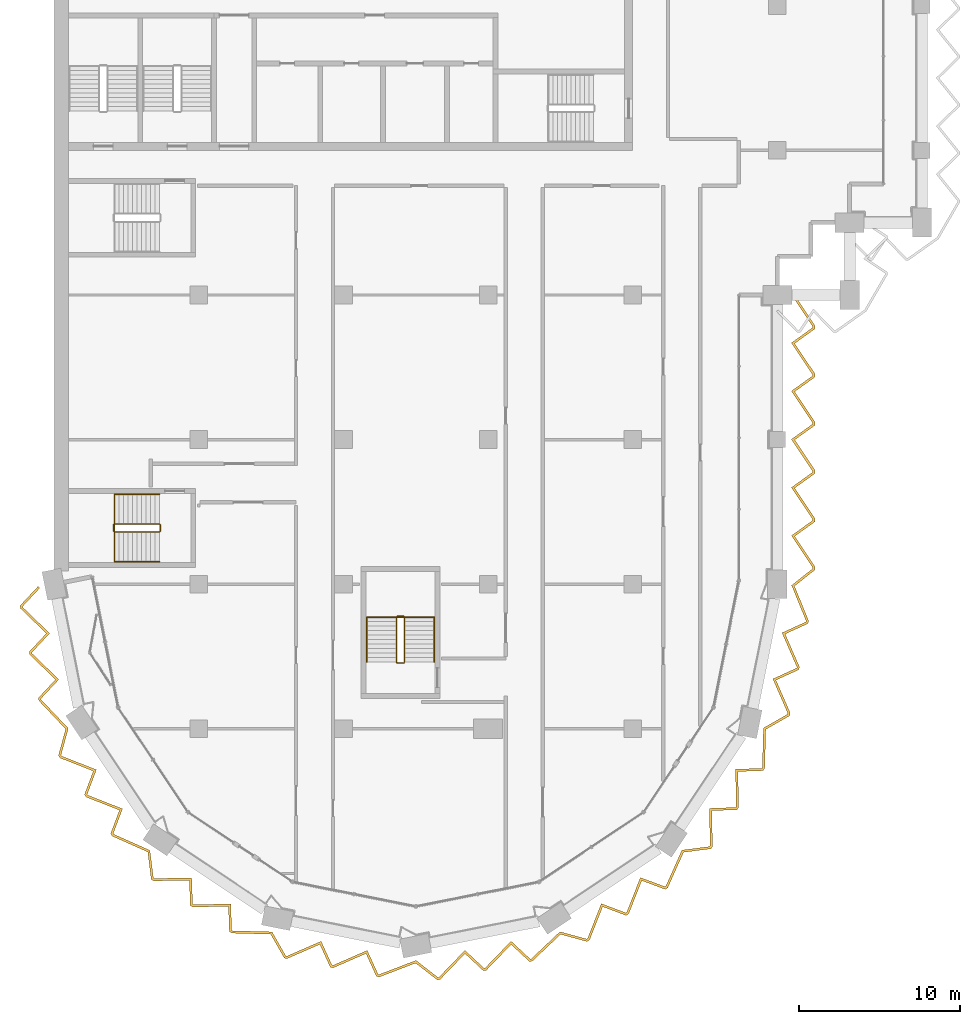
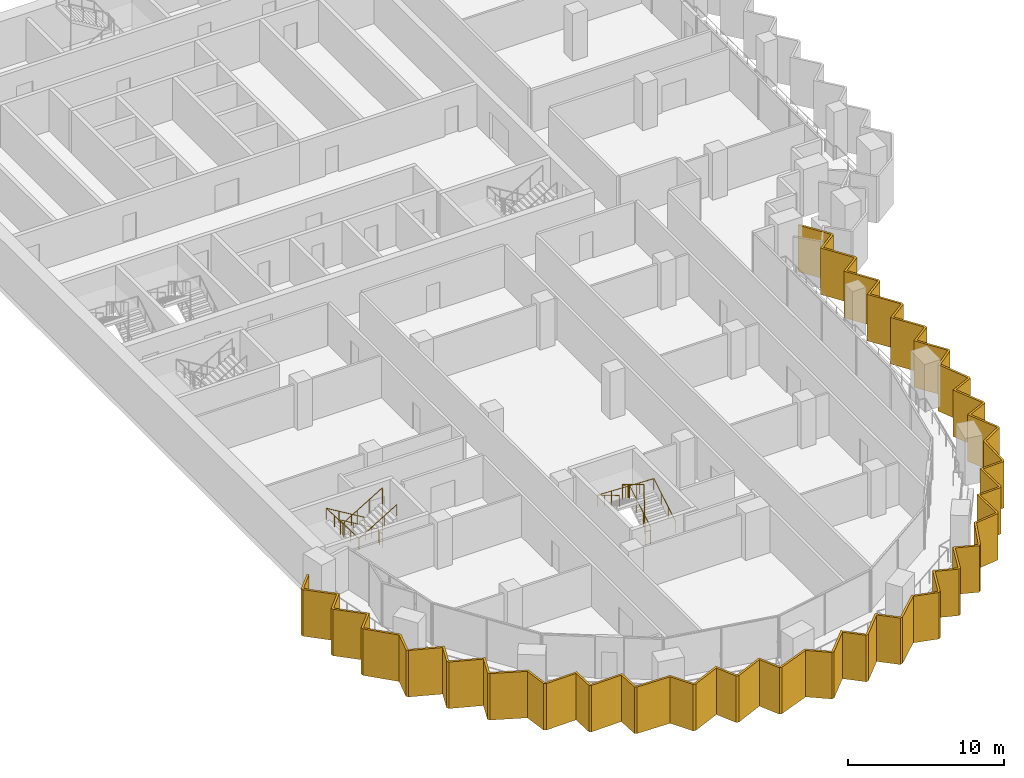
# One storey, part 16 of 19: 4 railings, 1 shading device.
"""IFC4 building model written with IfcOpenShell, lengths in metres."""

from ifc_helpers import new_model, si_unit, direction, frame, origin, origin_2d, place, context, subcontext, project, spatial, polyline, circle, outline, extrude, material, layer, layer_set, type_object, element, save


model = new_model("IFC4")

# Units and contexts
model_context = context("Model", 3, precision=1e-05, world=origin(), true_north=direction((0.0, 1.0)))
body_context = subcontext(model_context, "Body", "Model", "MODEL_VIEW")
ifc_project = project(units=[si_unit("LENGTHUNIT", "METRE"), si_unit("AREAUNIT", "SQUARE_METRE"), si_unit("VOLUMEUNIT", "CUBIC_METRE"), si_unit("PLANEANGLEUNIT", "RADIAN"), si_unit("MASSUNIT", "GRAM", prefix="KILO")], contexts=[model_context])

# Site, building, storey
site_placement = place(None, origin())
site = spatial("IfcSite", under=ifc_project, at=site_placement, CompositionType="ELEMENT")
building_placement = place(site_placement, origin())
building = spatial("IfcBuilding", under=site, at=building_placement, Name="Hunhe Ridgeline Campus", CompositionType="ELEMENT")
storey_placement = place(building_placement, frame((0.0, 0.0, 219.800048828125)))
storey = spatial("IfcBuildingStorey", under=building, at=storey_placement, Name="L56", CompositionType="ELEMENT", Elevation=219.800048828125)

# Shading device
ifc_material_1 = material(Name="Concrete C50", Category="concrete")
ifc_layer = layer(ifc_material_1, 0.14990234375)
ifc_layer_set = layer_set([ifc_layer], Name="Sawtooth concrete fin 150 Concrete C50")
shading_device_type = type_object("IfcShadingDeviceType", Name="Sawtooth concrete fin 150 Concrete C50", PredefinedType="USERDEFINED", material=ifc_layer_set)
shading_device_placement = place(storey_placement, frame((0.0, 0.0, -0.949951171875)))
element("IfcShadingDevice", 1, at=shading_device_placement, inside=storey, type_object=shading_device_type, Name="Concrete fin screen 1", ObjectType="FIN", PredefinedType="USERDEFINED", context=body_context, shape_type="SweptSolid", body=[
    extrude(outline(polyline([(-0.9013671875, 35.758544921875), (-1.010986328125, 35.86083984375), (-2.1298828125, 34.662109375), (-2.094482421875, 34.483642578125), (-0.490478515625, 32.93701171875), (-1.55908203125, 31.7919921875), (-1.5234375, 31.613525390625), (0.080322265625, 30.066650390625), (-0.988037109375, 28.921875), (-0.952880859375, 28.745361328125), (0.710693359375, 26.98828125), (0.25927734375, 25.3349609375), (0.35791015625, 25.187255859375), (2.431640625, 24.3720703125), (1.882568359375, 22.9052734375), (1.983642578125, 22.754150390625), (4.0576171875, 21.938720703125), (3.508544921875, 20.47216796875), (3.6083984375, 20.322509765625), (5.818115234375, 19.3359375), (6.033447265625, 17.6357421875), (6.18115234375, 17.536865234375), (8.4091796875, 17.577392578125), (8.463134765625, 16.01220703125), (8.614501953125, 15.9111328125), (10.84228515625, 15.951416015625), (10.896240234375, 14.386474609375), (11.046142578125, 14.286376953125), (13.465087890625, 14.220458984375), (14.314697265625, 12.732177734375), (14.489013671875, 12.697509765625), (16.53173828125, 13.58740234375), (17.1806640625, 12.162109375), (17.359130859375, 12.12646484375), (19.40185546875, 13.016357421875), (20.05078125, 11.591064453125), (20.227294921875, 11.555908203125), (22.4873046875, 12.420654296875), (23.842041015625, 11.370849609375), (24.016357421875, 11.405517578125), (25.56298828125, 13.009521484375), (26.7080078125, 11.94091796875), (26.886474609375, 11.9765625), (28.433349609375, 13.580322265625), (29.578125, 12.511962890625), (29.754638671875, 12.547119140625), (31.51171875, 14.210693359375), (33.1650390625, 13.75927734375), (33.312744140625, 13.85791015625), (34.1279296875, 15.931640625), (35.5947265625, 15.382568359375), (35.745849609375, 15.483642578125), (36.561279296875, 17.5576171875), (38.02783203125, 17.008544921875), (38.177490234375, 17.1083984375), (39.1640625, 19.318115234375), (40.8642578125, 19.533447265625), (40.963134765625, 19.68115234375), (40.922607421875, 21.9091796875), (42.48779296875, 21.963134765625), (42.5888671875, 22.114501953125), (42.548583984375, 24.34228515625), (44.113525390625, 24.396240234375), (44.213623046875, 24.546142578125), (44.279541015625, 26.965087890625), (45.767822265625, 27.814697265625), (45.802490234375, 27.989013671875), (44.91259765625, 30.03173828125), (46.337890625, 30.6806640625), (46.37353515625, 30.859130859375), (45.483642578125, 32.90185546875), (46.908935546875, 33.55078125), (46.944091796875, 33.728271484375), (46.065673828125, 35.880126953125), (47.35009765625, 36.898681640625), (47.35009765625, 37.077880859375), (46.07763671875, 38.9814453125), (47.35009765625, 39.896484375), (47.35009765625, 40.077880859375), (46.07763671875, 41.9814453125), (47.35009765625, 42.896484375), (47.35009765625, 43.077880859375), (46.07763671875, 44.9814453125), (47.35009765625, 45.896484375), (47.35009765625, 46.077880859375), (46.07763671875, 47.9814453125), (47.35009765625, 48.896484375), (47.35009765625, 49.077880859375), (46.07763671875, 50.9814453125), (47.35009765625, 51.896484375), (47.35009765625, 52.077880859375), (46.037353515625, 54.041748046875), (45.91259765625, 53.958251953125), (47.199951171875, 52.0322265625), (47.199951171875, 51.973388671875), (45.872314453125, 51.0185546875), (47.199951171875, 49.0322265625), (47.199951171875, 48.973388671875), (45.872314453125, 48.0185546875), (47.199951171875, 46.0322265625), (47.199951171875, 45.973388671875), (45.872314453125, 45.0185546875), (47.199951171875, 43.0322265625), (47.199951171875, 42.973388671875), (45.872314453125, 42.0185546875), (47.199951171875, 40.0322265625), (47.199951171875, 39.973388671875), (45.872314453125, 39.0185546875), (47.199951171875, 37.0322265625), (47.199951171875, 36.97119140625), (45.88427734375, 35.927734375), (46.788330078125, 33.71337890625), (46.77685546875, 33.655517578125), (45.287109375, 32.977294921875), (46.217041015625, 30.84228515625), (46.205810546875, 30.785400390625), (44.71630859375, 30.107177734375), (45.646240234375, 27.97216796875), (45.634033203125, 27.910888671875), (44.1318359375, 27.053466796875), (44.06494140625, 24.593505859375), (44.031494140625, 24.543701171875), (42.395751953125, 24.487060546875), (42.43798828125, 22.15869140625), (42.40576171875, 22.1103515625), (40.77001953125, 22.053955078125), (40.812255859375, 19.7255859375), (40.777587890625, 19.673828125), (39.0615234375, 19.456298828125), (38.05810546875, 17.209228515625), (38.00830078125, 17.17578125), (36.4755859375, 17.749755859375), (35.62353515625, 15.582275390625), (35.5751953125, 15.550048828125), (34.04248046875, 16.1240234375), (33.190185546875, 13.95654296875), (33.138427734375, 13.921875), (31.469970703125, 14.377685546875), (29.682861328125, 12.685791015625), (29.624267578125, 12.674072265625), (28.427734375, 13.790771484375), (26.81103515625, 12.114501953125), (26.754150390625, 12.10302734375), (25.5576171875, 13.2197265625), (23.94091796875, 11.54345703125), (23.8798828125, 11.53125), (22.5126953125, 12.591064453125), (20.214111328125, 11.711669921875), (20.155517578125, 11.72314453125), (19.477294921875, 13.212890625), (17.34228515625, 12.282958984375), (17.285400390625, 12.294189453125), (16.607177734375, 13.78369140625), (14.47216796875, 12.853759765625), (14.410888671875, 12.865966796875), (13.553466796875, 14.3681640625), (11.093505859375, 14.43505859375), (11.043701171875, 14.468505859375), (10.987060546875, 16.104248046875), (8.65869140625, 16.06201171875), (8.6103515625, 16.09423828125), (8.553955078125, 17.72998046875), (6.2255859375, 17.687744140625), (6.173828125, 17.722412109375), (5.956298828125, 19.4384765625), (3.709228515625, 20.44189453125), (3.67578125, 20.49169921875), (4.249755859375, 22.0244140625), (2.082275390625, 22.87646484375), (2.050048828125, 22.9248046875), (2.6240234375, 24.45751953125), (0.45654296875, 25.309814453125), (0.421875, 25.361572265625), (0.877685546875, 27.030029296875), (-0.814208984375, 28.817138671875), (-0.825927734375, 28.875732421875), (0.290771484375, 30.072265625), (-1.385498046875, 31.68896484375), (-1.39697265625, 31.745849609375), (-0.2802734375, 32.9423828125), (-1.95654296875, 34.55908203125), (-1.9677734375, 34.615966796875), (-0.9013671875, 35.758544921875)])), origin(), (0.0, 0.0, 1.0), 3.64990234375),
])

# Railings
ifc_material_2 = material(Name="Stainless steel balustrade", Category="steel")
railing_type_1 = type_object("IfcRailingType", Name="Stair guard 1100 stainless", PredefinedType="GUARDRAIL", material=ifc_material_2)
railing_1_placement = place(storey_placement, frame((21.800048828125, 31.14990234375, 0.168212890625)))
element("IfcRailing", 2, at=railing_1_placement, inside=storey, type_object=railing_type_1, Name="L56 stair W3 guard", PredefinedType="GUARDRAIL", context=body_context, shape_type="SweptSolid", body=[
    extrude(circle(Radius=0.02392578125, at=origin_2d()), frame((0.0, 0.0, 1.076171875), z_axis=(0.0, 0.857275202839, 0.514858452973), x_axis=(-1.0, 0.0, 0.0)), (0.0, 0.0, 1.0), 3.26611328125),
    extrude(circle(Radius=0.02392578125, at=origin_2d()), frame((0.0, 2.800048828125, 2.7578125), z_axis=(-0.707106781187, 0.707106781187, 0.0), x_axis=(-0.707106781187, -0.707106781187, 0.0)), (0.0, 0.0, 1.0), 0.07080078125),
    extrude(circle(Radius=0.02392578125, at=origin_2d()), frame((-0.050048828125, 2.85009765625, 2.7578125), z_axis=(-1.0, 0.0, 0.0), x_axis=(0.0, -1.0, 0.0)), (0.0, 0.0, 1.0), 0.39990234375),
    extrude(circle(Radius=0.02392578125, at=origin_2d()), frame((-0.449951171875, 2.85009765625, 2.7578125), z_axis=(-0.274243871929, -0.274243871929, 0.92172696468), x_axis=(0.707106781187, -0.707106781187, 0.0)), (0.0, 0.0, 1.0), 0.1826171875),
    extrude(circle(Radius=0.02392578125, at=origin_2d()), frame((-0.5, 2.800048828125, 2.92578125), z_axis=(0.0, -0.857242210791, 0.514913383045), x_axis=(1.0, 0.0, 0.0)), (0.0, 0.0, 1.0), 3.266357421875),
    extrude(circle(Radius=0.02392578125, at=origin_2d()), frame((-0.5, 0.0, 4.60791015625), z_axis=(0.013524426427, -0.013458453615, -0.999817963389), x_axis=(0.705375805398, 0.708833529934, 0.0)), (0.0, 0.0, 1.0), 3.70068359375),
    extrude(circle(Radius=0.02392578125, at=origin_2d()), frame((-0.449951171875, -0.0498046875, 0.90771484375), z_axis=(1.0, 0.0, 0.0), x_axis=(0.0, 1.0, 0.0)), (0.0, 0.0, 1.0), 0.39990234375),
    extrude(circle(Radius=0.02099609375, at=origin_2d()), origin(), (0.0, 0.0, 1.0), 1.052001953125),
    extrude(circle(Radius=0.02099609375, at=origin_2d()), frame((0.0, 0.933349609375, 0.560546875)), (0.0, 0.0, 1.0), 1.052001953125),
    extrude(circle(Radius=0.02099609375, at=origin_2d()), frame((0.0, 1.86669921875, 1.12109375)), (0.0, 0.0, 1.0), 1.052001953125),
    extrude(circle(Radius=0.02099609375, at=origin_2d()), frame((0.0, 2.800048828125, 1.681640625)), (0.0, 0.0, 1.0), 1.052001953125),
    extrude(circle(Radius=0.02099609375, at=origin_2d()), frame((-0.050048828125, 2.85009765625, 1.681640625)), (0.0, 0.0, 1.0), 1.052001953125),
    extrude(circle(Radius=0.02099609375, at=origin_2d()), frame((-0.449951171875, 2.85009765625, 1.681640625)), (0.0, 0.0, 1.0), 1.052001953125),
    extrude(circle(Radius=0.02099609375, at=origin_2d()), frame((-0.5, 2.800048828125, 1.849853515625)), (0.0, 0.0, 1.0), 1.052001953125),
    extrude(circle(Radius=0.02099609375, at=origin_2d()), frame((-0.5, 1.86669921875, 2.410400390625)), (0.0, 0.0, 1.0), 1.052001953125),
    extrude(circle(Radius=0.02099609375, at=origin_2d()), frame((-0.5, 0.933349609375, 2.97119140625)), (0.0, 0.0, 1.0), 1.052001953125),
    extrude(circle(Radius=0.02099609375, at=origin_2d()), frame((-0.5, 0.0, 3.53173828125)), (0.0, 0.0, 1.0), 1.052001953125),
    extrude(circle(Radius=0.02099609375, at=origin_2d()), frame((-0.487548828125, -0.012451171875, 2.606689453125)), (0.0, 0.0, 1.0), 1.052001953125),
    extrude(circle(Radius=0.02099609375, at=origin_2d()), frame((-0.47509765625, -0.02490234375, 1.681640625)), (0.0, 0.0, 1.0), 1.052001953125),
    extrude(circle(Radius=0.02099609375, at=origin_2d()), frame((-0.46240234375, -0.037353515625, 0.7568359375)), (0.0, 0.0, 1.0), 1.052001953125),
    extrude(circle(Radius=0.02099609375, at=origin_2d()), frame((-0.449951171875, -0.0498046875, -0.168212890625)), (0.0, 0.0, 1.0), 1.052001953125),
    extrude(circle(Radius=0.02099609375, at=origin_2d()), frame((-0.050048828125, -0.0498046875, -0.168212890625)), (0.0, 0.0, 1.0), 1.052001953125),
])
railing_2_placement = place(storey_placement, frame((6.550048828125, 39.75, 0.168212890625)))
element("IfcRailing", 3, at=railing_2_placement, inside=storey, type_object=railing_type_1, Name="L56 stair W1 guard", PredefinedType="GUARDRAIL", context=body_context, shape_type="SweptSolid", body=[
    extrude(circle(Radius=0.02392578125, at=origin_2d()), frame((0.0, 0.0, 1.076171875), z_axis=(-0.857275202839, 0.0, 0.514858452973), x_axis=(0.0, -1.0, 0.0)), (0.0, 0.0, 1.0), 3.26611328125),
    extrude(circle(Radius=0.02392578125, at=origin_2d()), frame((-2.800048828125, 0.0, 2.7578125), z_axis=(-0.707106781187, -0.707106781187, 0.0), x_axis=(0.707106781187, -0.707106781187, 0.0)), (0.0, 0.0, 1.0), 0.07080078125),
    extrude(circle(Radius=0.02392578125, at=origin_2d()), frame((-2.85009765625, -0.050048828125, 2.7578125), z_axis=(0.0, -1.0, 0.0), x_axis=(1.0, 0.0, 0.0)), (0.0, 0.0, 1.0), 0.39990234375),
    extrude(circle(Radius=0.02392578125, at=origin_2d()), frame((-2.85009765625, -0.449951171875, 2.7578125), z_axis=(0.274243871929, -0.274243871929, 0.92172696468), x_axis=(0.707106781187, 0.707106781187, 0.0)), (0.0, 0.0, 1.0), 0.1826171875),
    extrude(circle(Radius=0.02392578125, at=origin_2d()), frame((-2.800048828125, -0.5, 2.92578125), z_axis=(0.857242210791, 0.0, 0.514913383045), x_axis=(0.0, 1.0, 0.0)), (0.0, 0.0, 1.0), 3.266357421875),
    extrude(circle(Radius=0.02392578125, at=origin_2d()), frame((0.0, -0.5, 4.60791015625), z_axis=(0.013524414389, 0.013524414389, -0.999817073484), x_axis=(-0.707106781187, 0.707106781187, 0.0)), (0.0, 0.0, 1.0), 3.70068359375),
    extrude(circle(Radius=0.02392578125, at=origin_2d()), frame((0.050048828125, -0.449951171875, 0.90771484375), z_axis=(0.0, 1.0, 0.0), x_axis=(-1.0, 0.0, 0.0)), (0.0, 0.0, 1.0), 0.39990234375),
    extrude(circle(Radius=0.02099609375, at=origin_2d()), origin(), (0.0, 0.0, 1.0), 1.052001953125),
    extrude(circle(Radius=0.02099609375, at=origin_2d()), frame((-0.933349609375, 0.0, 0.560546875)), (0.0, 0.0, 1.0), 1.052001953125),
    extrude(circle(Radius=0.02099609375, at=origin_2d()), frame((-1.86669921875, 0.0, 1.12109375)), (0.0, 0.0, 1.0), 1.052001953125),
    extrude(circle(Radius=0.02099609375, at=origin_2d()), frame((-2.800048828125, 0.0, 1.681640625)), (0.0, 0.0, 1.0), 1.052001953125),
    extrude(circle(Radius=0.02099609375, at=origin_2d()), frame((-2.85009765625, -0.050048828125, 1.681640625)), (0.0, 0.0, 1.0), 1.052001953125),
    extrude(circle(Radius=0.02099609375, at=origin_2d()), frame((-2.85009765625, -0.449951171875, 1.681640625)), (0.0, 0.0, 1.0), 1.052001953125),
    extrude(circle(Radius=0.02099609375, at=origin_2d()), frame((-2.800048828125, -0.5, 1.849853515625)), (0.0, 0.0, 1.0), 1.052001953125),
    extrude(circle(Radius=0.02099609375, at=origin_2d()), frame((-1.86669921875, -0.5, 2.410400390625)), (0.0, 0.0, 1.0), 1.052001953125),
    extrude(circle(Radius=0.02099609375, at=origin_2d()), frame((-0.933349609375, -0.5, 2.97119140625)), (0.0, 0.0, 1.0), 1.052001953125),
    extrude(circle(Radius=0.02099609375, at=origin_2d()), frame((0.0, -0.5, 3.53173828125)), (0.0, 0.0, 1.0), 1.052001953125),
    extrude(circle(Radius=0.02099609375, at=origin_2d()), frame((0.012451171875, -0.487548828125, 2.606689453125)), (0.0, 0.0, 1.0), 1.052001953125),
    extrude(circle(Radius=0.02099609375, at=origin_2d()), frame((0.02490234375, -0.47509765625, 1.681640625)), (0.0, 0.0, 1.0), 1.052001953125),
    extrude(circle(Radius=0.02099609375, at=origin_2d()), frame((0.03759765625, -0.46240234375, 0.7568359375)), (0.0, 0.0, 1.0), 1.052001953125),
    extrude(circle(Radius=0.02099609375, at=origin_2d()), frame((0.050048828125, -0.449951171875, -0.168212890625)), (0.0, 0.0, 1.0), 1.052001953125),
    extrude(circle(Radius=0.02099609375, at=origin_2d()), frame((0.050048828125, -0.050048828125, -0.168212890625)), (0.0, 0.0, 1.0), 1.052001953125),
])
ifc_material_3 = material(Name="Stainless steel handrail", Category="steel")
railing_type_2 = type_object("IfcRailingType", Name="Stair handrail 900 stainless", PredefinedType="HANDRAIL", material=ifc_material_3)
railing_3_placement = place(storey_placement, frame((23.64990234375, 31.14990234375, 0.168212890625)))
element("IfcRailing", 4, at=railing_3_placement, inside=storey, type_object=railing_type_2, Name="L56 stair W3 handrail", PredefinedType="HANDRAIL", context=body_context, shape_type="SweptSolid", body=[
    extrude(circle(Radius=0.02392578125, at=origin_2d()), frame((0.0, 0.0, 0.8759765625), z_axis=(0.0, 0.857275202839, 0.514858452973), x_axis=(-1.0, 0.0, 0.0)), (0.0, 0.0, 1.0), 3.26611328125),
    extrude(circle(Radius=0.02392578125, at=origin_2d()), frame((0.0, 2.800048828125, 2.5576171875), z_axis=(-0.999198916169, 0.0, 0.040019069537), x_axis=(0.0, -1.0, 0.0)), (0.0, 0.0, 1.0), 4.203369140625),
    extrude(circle(Radius=0.02392578125, at=origin_2d()), frame((-4.199951171875, 2.800048828125, 2.7255859375), z_axis=(0.0, -0.857242210791, 0.514913383045), x_axis=(1.0, 0.0, 0.0)), (0.0, 0.0, 1.0), 3.266357421875),
    extrude(circle(Radius=0.02099609375, at=origin_2d()), origin(), (0.0, 0.0, 1.0), 0.851806640625),
    extrude(circle(Radius=0.02099609375, at=origin_2d()), frame((0.0, 0.933349609375, 0.560546875)), (0.0, 0.0, 1.0), 0.851806640625),
    extrude(circle(Radius=0.02099609375, at=origin_2d()), frame((0.0, 1.86669921875, 1.12109375)), (0.0, 0.0, 1.0), 0.851806640625),
    extrude(circle(Radius=0.02099609375, at=origin_2d()), frame((0.0, 2.800048828125, 1.681640625)), (0.0, 0.0, 1.0), 0.851806640625),
    extrude(circle(Radius=0.02099609375, at=origin_2d()), frame((-1.050048828125, 2.800048828125, 1.7236328125)), (0.0, 0.0, 1.0), 0.851806640625),
    extrude(circle(Radius=0.02099609375, at=origin_2d()), frame((-2.10009765625, 2.800048828125, 1.765625)), (0.0, 0.0, 1.0), 0.851806640625),
    extrude(circle(Radius=0.02099609375, at=origin_2d()), frame((-3.14990234375, 2.800048828125, 1.807861328125)), (0.0, 0.0, 1.0), 0.851806640625),
    extrude(circle(Radius=0.02099609375, at=origin_2d()), frame((-4.199951171875, 2.800048828125, 1.849853515625)), (0.0, 0.0, 1.0), 0.851806640625),
    extrude(circle(Radius=0.02099609375, at=origin_2d()), frame((-4.199951171875, 1.86669921875, 2.410400390625)), (0.0, 0.0, 1.0), 0.851806640625),
    extrude(circle(Radius=0.02099609375, at=origin_2d()), frame((-4.199951171875, 0.933349609375, 2.97119140625)), (0.0, 0.0, 1.0), 0.851806640625),
    extrude(circle(Radius=0.02099609375, at=origin_2d()), frame((-4.199951171875, 0.0, 3.53173828125)), (0.0, 0.0, 1.0), 0.851806640625),
])
railing_4_placement = place(storey_placement, frame((6.550048828125, 41.60009765625, 0.168212890625)))
element("IfcRailing", 5, at=railing_4_placement, inside=storey, type_object=railing_type_2, Name="L56 stair W1 handrail", PredefinedType="HANDRAIL", context=body_context, shape_type="SweptSolid", body=[
    extrude(circle(Radius=0.02392578125, at=origin_2d()), frame((0.0, 0.0, 0.8759765625), z_axis=(-0.857275202839, 0.0, 0.514858452973), x_axis=(0.0, -1.0, 0.0)), (0.0, 0.0, 1.0), 3.26611328125),
    extrude(circle(Radius=0.02392578125, at=origin_2d()), frame((-2.800048828125, 0.0, 2.5576171875), z_axis=(0.0, -0.999199009182, 0.040016747113), x_axis=(1.0, 0.0, 0.0)), (0.0, 0.0, 1.0), 4.20361328125),
    extrude(circle(Radius=0.02392578125, at=origin_2d()), frame((-2.800048828125, -4.2001953125, 2.7255859375), z_axis=(0.857242210791, 0.0, 0.514913383045), x_axis=(0.0, 1.0, 0.0)), (0.0, 0.0, 1.0), 3.266357421875),
    extrude(circle(Radius=0.02099609375, at=origin_2d()), origin(), (0.0, 0.0, 1.0), 0.851806640625),
    extrude(circle(Radius=0.02099609375, at=origin_2d()), frame((-0.933349609375, 0.0, 0.560546875)), (0.0, 0.0, 1.0), 0.851806640625),
    extrude(circle(Radius=0.02099609375, at=origin_2d()), frame((-1.86669921875, 0.0, 1.12109375)), (0.0, 0.0, 1.0), 0.851806640625),
    extrude(circle(Radius=0.02099609375, at=origin_2d()), frame((-2.800048828125, 0.0, 1.681640625)), (0.0, 0.0, 1.0), 0.851806640625),
    extrude(circle(Radius=0.02099609375, at=origin_2d()), frame((-2.800048828125, -1.050048828125, 1.7236328125)), (0.0, 0.0, 1.0), 0.851806640625),
    extrude(circle(Radius=0.02099609375, at=origin_2d()), frame((-2.800048828125, -2.10009765625, 1.765625)), (0.0, 0.0, 1.0), 0.851806640625),
    extrude(circle(Radius=0.02099609375, at=origin_2d()), frame((-2.800048828125, -3.150146484375, 1.807861328125)), (0.0, 0.0, 1.0), 0.851806640625),
    extrude(circle(Radius=0.02099609375, at=origin_2d()), frame((-2.800048828125, -4.2001953125, 1.849853515625)), (0.0, 0.0, 1.0), 0.851806640625),
    extrude(circle(Radius=0.02099609375, at=origin_2d()), frame((-1.86669921875, -4.2001953125, 2.410400390625)), (0.0, 0.0, 1.0), 0.851806640625),
    extrude(circle(Radius=0.02099609375, at=origin_2d()), frame((-0.933349609375, -4.2001953125, 2.97119140625)), (0.0, 0.0, 1.0), 0.851806640625),
    extrude(circle(Radius=0.02099609375, at=origin_2d()), frame((0.0, -4.2001953125, 3.53173828125)), (0.0, 0.0, 1.0), 0.851806640625),
])

save(model, "model.ifc")
